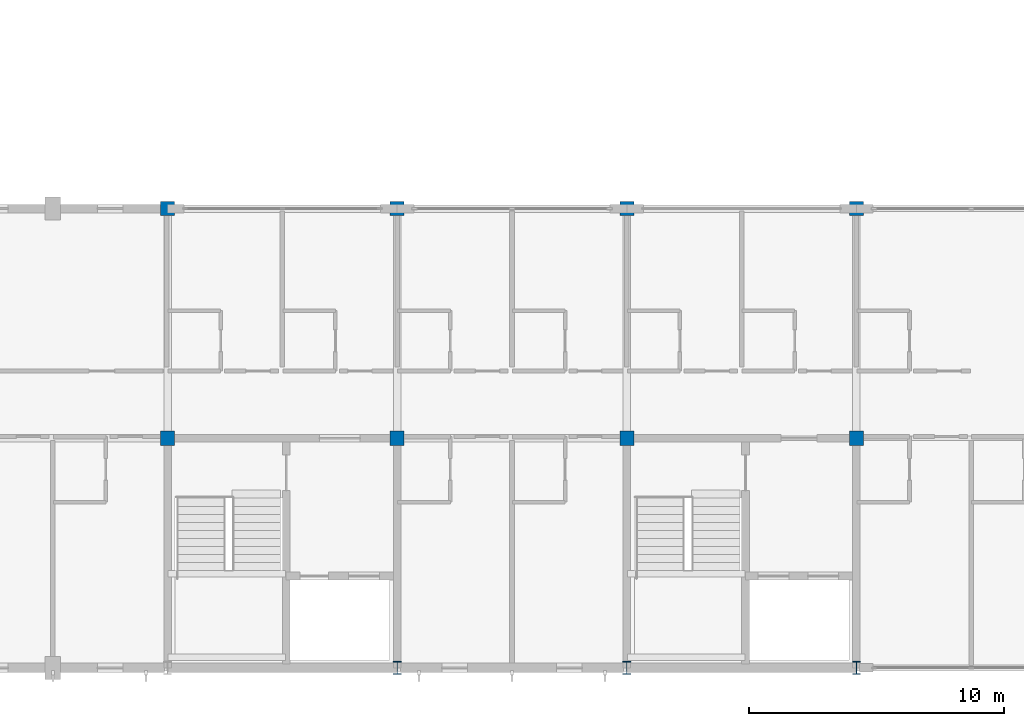
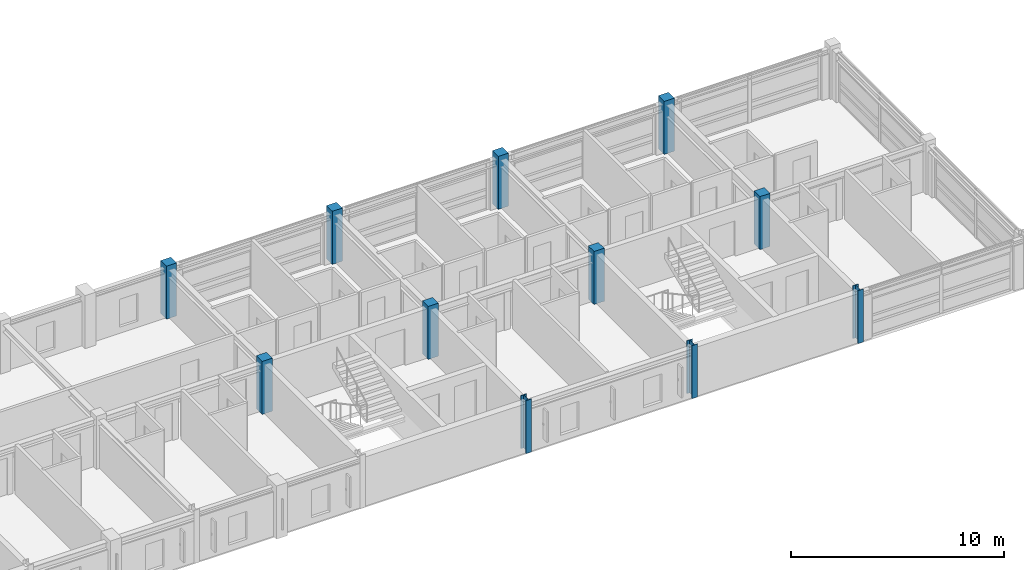
# One storey, part 2 of 37: 11 columns.
"""IFC4 building model written with IfcOpenShell, lengths in metres."""

from ifc_helpers import new_model, si_unit, direction, frame, origin, origin_2d, place, context, subcontext, project, spatial, rectangle, i_section, extrude, material, material_profile, profile_set, type_object, element, save


model = new_model("IFC4")

# Units and contexts
model_context = context("Model", 3, precision=1e-05, world=origin(), true_north=direction((0.0, 1.0)))
body_context = subcontext(model_context, "Body", "Model", "MODEL_VIEW")
ifc_project = project(units=[si_unit("LENGTHUNIT", "METRE"), si_unit("AREAUNIT", "SQUARE_METRE"), si_unit("VOLUMEUNIT", "CUBIC_METRE"), si_unit("PLANEANGLEUNIT", "RADIAN"), si_unit("MASSUNIT", "GRAM", prefix="KILO")], contexts=[model_context])

# Site, building, storey
site_placement = place(None, origin())
site = spatial("IfcSite", under=ifc_project, at=site_placement, CompositionType="ELEMENT")
building_placement = place(site_placement, origin())
building = spatial("IfcBuilding", under=site, at=building_placement, Name="Palais des Congres Ocreval", CompositionType="ELEMENT")
storey_placement = place(building_placement, frame((0.0, 0.0, 11.52001953125)))
storey = spatial("IfcBuildingStorey", under=building, at=storey_placement, Name="L03", CompositionType="ELEMENT", Elevation=11.52001953125)

# Columns
ifc_material_1 = material(Name="Steel S355", Category="steel")
ifc_material_profile_1 = material_profile(ifc_material_1, i_section(OverallWidth=0.300048828125, OverallDepth=0.5, WebThickness=0.014404296875, FlangeThickness=0.028076171875, at=origin_2d()), Name="HEB 500")
ifc_profile_set_1 = profile_set([ifc_material_profile_1], Name="Steel S355")
column_type_1 = type_object("IfcColumnType", Name="Column HEB 500 Steel S355", PredefinedType="COLUMN", material=ifc_profile_set_1)
for number, where, z_axis, x_axis, name in (
    (1, (45.0, 0.0, 0.0), (0.0, 0.0, 1.0), (1.0, 0.0, 0.0), "Column C08 L03"),
    (2, (54.0, 0.0, 0.0), (0.0, 0.0, 1.0), (1.0, 0.0, 0.0), "Column C08 L03"),
    (3, (63.0, 0.0, 0.0), (0.0, 0.0, 1.0), (1.0, 0.0, 0.0), "Column C08 L03"),
):
    element("IfcColumn", number, at=place(storey_placement, frame(where, z_axis=z_axis, x_axis=x_axis)), inside=storey, type_object=column_type_1, Name=name, PredefinedType="COLUMN", context=body_context, shape_type="SweptSolid", body=[
        extrude(i_section(OverallWidth=0.300048828125, OverallDepth=0.5, WebThickness=0.014404296875, FlangeThickness=0.028076171875, at=origin_2d()), origin(), (0.0, 0.0, 1.0), 3.0400390625),
    ])
ifc_material_2 = material(Name="Concrete C40/50", Category="concrete")
ifc_material_profile_2 = material_profile(ifc_material_2, rectangle(XDim=0.550048828125, YDim=0.550048828125, at=origin_2d()), Name="RC 550x550")
ifc_profile_set_2 = profile_set([ifc_material_profile_2], Name="Concrete C40/50")
column_type_2 = type_object("IfcColumnType", Name="Column RC 550x550 Concrete C40/50", PredefinedType="COLUMN", material=ifc_profile_set_2)
for number, where, z_axis, x_axis, name in (
    (4, (36.0, 9.0, 0.0), (0.0, 0.0, 1.0), (1.0, 0.0, 0.0), "Column C24 L03"),
    (5, (36.0, 18.0, 0.0), (0.0, 0.0, 1.0), (1.0, 0.0, 0.0), "Column C24 L03"),
    (6, (45.0, 9.0, 0.0), (0.0, 0.0, 1.0), (1.0, 0.0, 0.0), "Column C24 L03"),
    (7, (45.0, 18.0, 0.0), (0.0, 0.0, 1.0), (1.0, 0.0, 0.0), "Column C24 L03"),
    (8, (54.0, 9.0, 0.0), (0.0, 0.0, 1.0), (1.0, 0.0, 0.0), "Column C24 L03"),
    (9, (54.0, 18.0, 0.0), (0.0, 0.0, 1.0), (1.0, 0.0, 0.0), "Column C24 L03"),
    (10, (63.0, 9.0, 0.0), (0.0, 0.0, 1.0), (1.0, 0.0, 0.0), "Column C24 L03"),
    (11, (63.0, 18.0, 0.0), (0.0, 0.0, 1.0), (1.0, 0.0, 0.0), "Column C24 L03"),
):
    element("IfcColumn", number, at=place(storey_placement, frame(where, z_axis=z_axis, x_axis=x_axis)), inside=storey, type_object=column_type_2, Name=name, PredefinedType="COLUMN", context=body_context, shape_type="SweptSolid", body=[
        extrude(rectangle(XDim=0.550048828125, YDim=0.550048828125, at=origin_2d()), origin(), (0.0, 0.0, 1.0), 3.0400390625),
    ])

save(model, "model.ifc")
